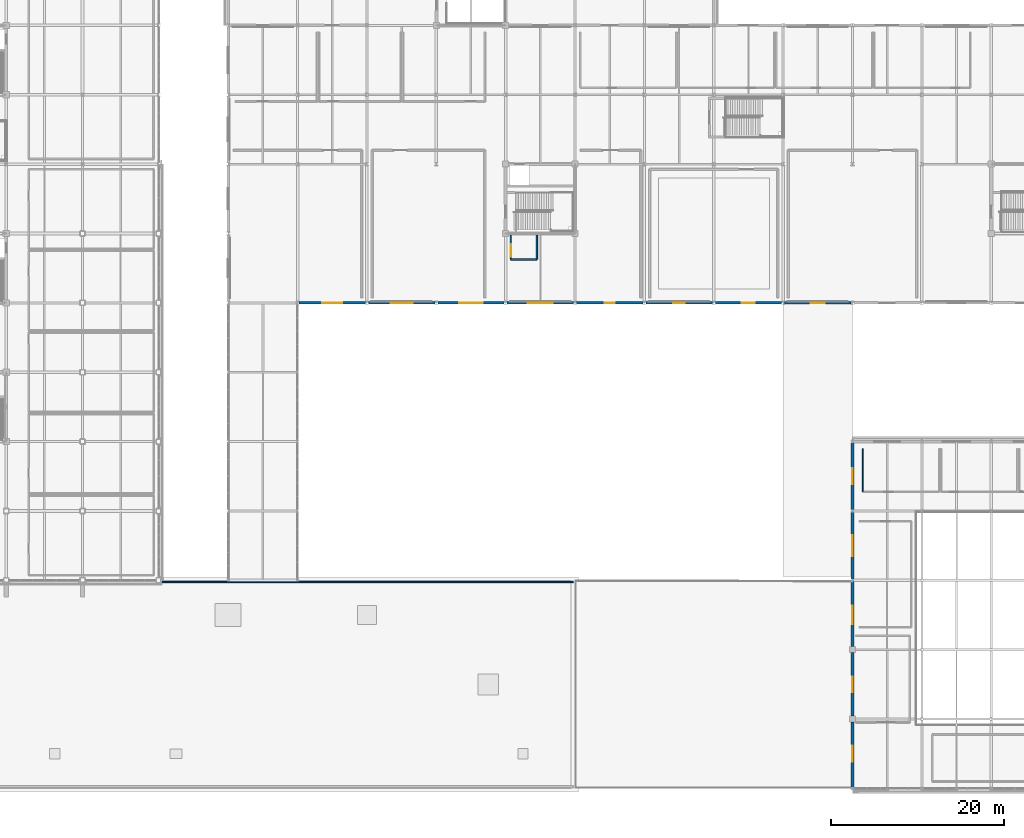
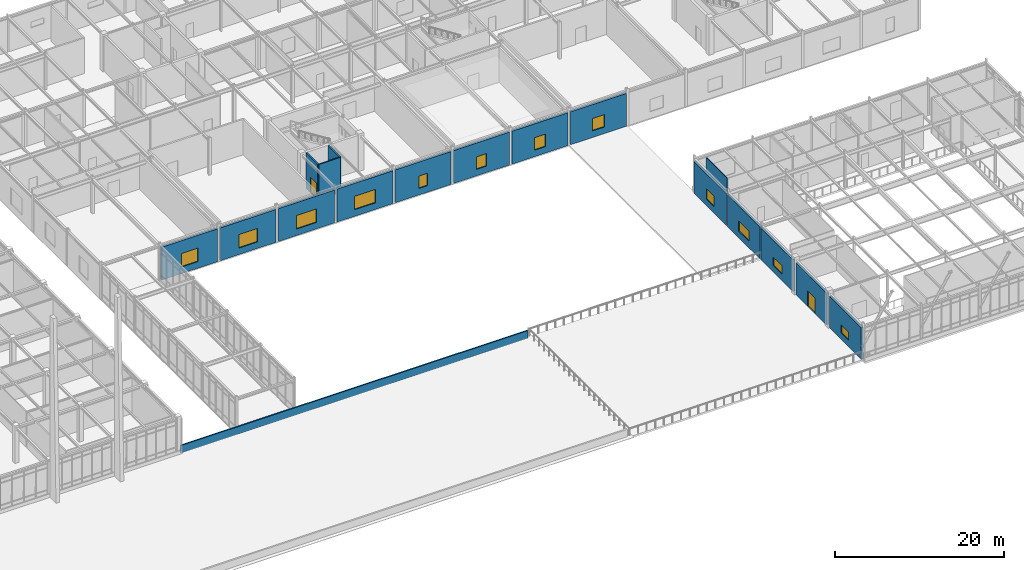
# One storey, part 89 of 108: 18 walls, 12 windows, 2 doors, 14 openings.
"""IFC4 building model written with IfcOpenShell, lengths in metres."""

from ifc_helpers import new_model, si_unit, direction, frame, frame_2d, origin, place, context, subcontext, project, spatial, rectangle, extrude, material, layer, layer_set, type_object, element, fill, save


model = new_model("IFC4")

# Units and contexts
model_context = context("Model", 3, precision=1e-05, world=origin(), true_north=direction((0.0, 1.0)))
body_context = subcontext(model_context, "Body", "Model", "MODEL_VIEW")
ifc_project = project(units=[si_unit("LENGTHUNIT", "METRE"), si_unit("AREAUNIT", "SQUARE_METRE"), si_unit("VOLUMEUNIT", "CUBIC_METRE"), si_unit("PLANEANGLEUNIT", "RADIAN"), si_unit("MASSUNIT", "GRAM", prefix="KILO")], contexts=[model_context])

# Site, building, storey
site_placement = place(None, origin())
site = spatial("IfcSite", under=ifc_project, at=site_placement, CompositionType="ELEMENT")
building_placement = place(site_placement, origin())
building = spatial("IfcBuilding", under=site, at=building_placement, Name="Zhaolan Boulevard Law Courts", CompositionType="ELEMENT")
storey_placement = place(building_placement, frame((0.0, 0.0, 10.800048828125)))
storey = spatial("IfcBuildingStorey", under=building, at=storey_placement, Name="L02", CompositionType="ELEMENT", Elevation=10.800048828125)

# Wall, opening, window
ifc_material_1 = material(Name="Concrete C40", Category="concrete")
ifc_layer_1 = layer(ifc_material_1, 0.300048828125)
ifc_layer_set_1 = layer_set([ifc_layer_1])
wall_type_1 = type_object("IfcWallType", Name="EXT WALL CONCRETE300", PredefinedType="SOLIDWALL", material=ifc_layer_set_1)
wall_1_placement = place(storey_placement, frame((124.0, 13.654052734375, 0.0), z_axis=(0.0, 0.0, 1.0), x_axis=(0.0, -1.0, 0.0)))
wall_1 = element("IfcWall", 1, at=wall_1_placement, inside=storey, type_object=wall_type_1, Name="Exterior Wall EW-L02-168", PredefinedType="SOLIDWALL", context=body_context, shape_type="SweptSolid", body=[
    extrude(rectangle(XDim=7.532958984375, YDim=0.300048828125, at=frame_2d((3.7666015625, 0.0))), origin(), (0.0, 0.0, 1.0), 4.60302734375),
])
opening_1_placement = place(wall_1_placement, frame((2.75390625, 0.0, 0.949951171875)))
opening_1 = element("IfcOpeningElement", 2, at=opening_1_placement, cuts=wall_1, Name="Opening WIN-L02-029", PredefinedType="OPENING", context=body_context, shape_type="SweptSolid", body=[
    extrude(rectangle(XDim=1.800048828125, YDim=1.199951171875, at=frame_2d((0.89990234375, 0.60009765625))), frame((0.0, 0.159912109375, 0.0), z_axis=(0.0, -1.0, 0.0), x_axis=(1.0, 0.0, 0.0)), (0.0, 0.0, 1.0), 0.320068359375),
])
ifc_material_2 = material(Name="Thermally broken aluminium and low-E glazing", Category="aluminium")
window_type_1 = type_object("IfcWindowType", Name="WINDOW 1800X1200", PartitioningType="DOUBLE_PANEL_VERTICAL", PredefinedType="WINDOW", material=ifc_material_2)
window_1_placement = place(opening_1_placement, origin())
window_1 = element("IfcWindow", 3, at=window_1_placement, inside=storey, type_object=window_type_1, Name="Exterior Window WIN-L02-029", OverallHeight=1.199951171875, OverallWidth=1.800048828125, PartitioningType="SINGLE_PANEL", PredefinedType="WINDOW", context=body_context, shape_type="SweptSolid", body=[
    extrude(rectangle(XDim=1.800048828125, YDim=1.199951171875, at=frame_2d((0.89990234375, 0.60009765625))), frame((0.0, 0.030029296875, 0.0), z_axis=(0.0, -1.0, 0.0), x_axis=(1.0, 0.0, 0.0)), (0.0, 0.0, 1.0), 0.06005859375),
])
fill(opening_1, window_1)

# Wall, opening, door
wall_2_placement = place(storey_placement, frame((124.0, 21.654052734375, 0.0), z_axis=(0.0, 0.0, 1.0), x_axis=(0.0, -1.0, 0.0)))
wall_2 = element("IfcWall", 4, at=wall_2_placement, inside=storey, type_object=wall_type_1, Name="Exterior Wall EW-L02-169", PredefinedType="SOLIDWALL", context=body_context, shape_type="SweptSolid", body=[
    extrude(rectangle(XDim=7.30810546875, YDim=0.300048828125, at=frame_2d((3.654052734375, 0.0))), origin(), (0.0, 0.0, 1.0), 4.60302734375),
])
opening_2_placement = place(wall_2_placement, frame((2.75390625, 0.0, 0.0)))
opening_2 = element("IfcOpeningElement", 5, at=opening_2_placement, cuts=wall_2, Name="Opening TD-L02-01", PredefinedType="OPENING", context=body_context, shape_type="SweptSolid", body=[
    extrude(rectangle(XDim=1.800048828125, YDim=2.199951171875, at=frame_2d((0.89990234375, 1.10009765625))), frame((0.0, 0.159912109375, 0.0), z_axis=(0.0, -1.0, 0.0), x_axis=(1.0, 0.0, 0.0)), (0.0, 0.0, 1.0), 0.320068359375),
])
ifc_material_3 = material(Name="Insulated powder-coated steel and safety glass", Category="steel")
door_type_1 = type_object("IfcDoorType", Name="TERRACE DOOR 1800X2200", OperationType="DOUBLE_DOOR_SINGLE_SWING", PredefinedType="DOOR", material=ifc_material_3)
door_1_placement = place(opening_2_placement, origin())
door_1 = element("IfcDoor", 6, at=door_1_placement, inside=storey, type_object=door_type_1, Name="Terrace Access Door TD-L02-01", OperationType="DOUBLE_DOOR_SINGLE_SWING", OverallHeight=2.199951171875, OverallWidth=1.800048828125, PredefinedType="DOOR", context=body_context, shape_type="SweptSolid", body=[
    extrude(rectangle(XDim=1.800048828125, YDim=2.199951171875, at=frame_2d((0.89990234375, 1.10009765625))), frame((0.0, 0.02490234375, 0.0), z_axis=(0.0, -1.0, 0.0), x_axis=(1.0, 0.0, 0.0)), (0.0, 0.0, 1.0), 0.050048828125),
])
fill(opening_2, door_1)

# Wall, opening, window
wall_3_placement = place(storey_placement, frame((124.0, 29.87890625, 0.0), z_axis=(0.0, 0.0, 1.0), x_axis=(0.0, -1.0, 0.0)))
wall_3 = element("IfcWall", 7, at=wall_3_placement, inside=storey, type_object=wall_type_1, Name="Exterior Wall EW-L02-170", PredefinedType="SOLIDWALL", context=body_context, shape_type="SweptSolid", body=[
    extrude(rectangle(XDim=7.532958984375, YDim=0.300048828125, at=frame_2d((3.7666015625, 0.0))), origin(), (0.0, 0.0, 1.0), 4.60302734375),
])
opening_3_placement = place(wall_3_placement, frame((2.8291015625, 0.0, 0.949951171875)))
opening_3 = element("IfcOpeningElement", 8, at=opening_3_placement, cuts=wall_3, Name="Opening WIN-L02-030", PredefinedType="OPENING", context=body_context, shape_type="SweptSolid", body=[
    extrude(rectangle(XDim=2.10009765625, YDim=1.199951171875, at=frame_2d((1.050048828125, 0.60009765625))), frame((0.0, 0.159912109375, 0.0), z_axis=(0.0, -1.0, 0.0), x_axis=(1.0, 0.0, 0.0)), (0.0, 0.0, 1.0), 0.320068359375),
])
ifc_material_4 = material(Name="Thermally broken aluminium and low-E glazing", Category="aluminium")
window_type_2 = type_object("IfcWindowType", Name="WINDOW 2100X1200", PartitioningType="DOUBLE_PANEL_VERTICAL", PredefinedType="WINDOW", material=ifc_material_4)
window_2_placement = place(opening_3_placement, origin())
window_2 = element("IfcWindow", 9, at=window_2_placement, inside=storey, type_object=window_type_2, Name="Exterior Window WIN-L02-030", OverallHeight=1.199951171875, OverallWidth=2.10009765625, PartitioningType="SINGLE_PANEL", PredefinedType="WINDOW", context=body_context, shape_type="SweptSolid", body=[
    extrude(rectangle(XDim=2.10009765625, YDim=1.199951171875, at=frame_2d((1.050048828125, 0.60009765625))), frame((0.0, 0.030029296875, 0.0), z_axis=(0.0, -1.0, 0.0), x_axis=(1.0, 0.0, 0.0)), (0.0, 0.0, 1.0), 0.06005859375),
])
fill(opening_3, window_2)

wall_4_placement = place(storey_placement, frame((124.0, 37.87890625, 0.0), z_axis=(0.0, 0.0, 1.0), x_axis=(0.0, -1.0, 0.0)))
wall_4 = element("IfcWall", 10, at=wall_4_placement, inside=storey, type_object=wall_type_1, Name="Exterior Wall EW-L02-171", PredefinedType="SOLIDWALL", context=body_context, shape_type="SweptSolid", body=[
    extrude(rectangle(XDim=7.7578125, YDim=0.300048828125, at=frame_2d((3.87890625, 0.0))), origin(), (0.0, 0.0, 1.0), 4.60302734375),
])
opening_4_placement = place(wall_4_placement, frame((2.678955078125, 0.0, 0.949951171875)))
opening_4 = element("IfcOpeningElement", 11, at=opening_4_placement, cuts=wall_4, Name="Opening WIN-L02-031", PredefinedType="OPENING", context=body_context, shape_type="SweptSolid", body=[
    extrude(rectangle(XDim=2.39990234375, YDim=1.5, at=frame_2d((1.199951171875, 0.75))), frame((0.0, 0.159912109375, 0.0), z_axis=(0.0, -1.0, 0.0), x_axis=(1.0, 0.0, 0.0)), (0.0, 0.0, 1.0), 0.320068359375),
])
ifc_material_5 = material(Name="Thermally broken aluminium and low-E glazing", Category="aluminium")
window_type_3 = type_object("IfcWindowType", Name="WINDOW 2400X1500", PartitioningType="DOUBLE_PANEL_VERTICAL", PredefinedType="WINDOW", material=ifc_material_5)
window_3_placement = place(opening_4_placement, origin())
window_3 = element("IfcWindow", 12, at=window_3_placement, inside=storey, type_object=window_type_3, Name="Exterior Window WIN-L02-031", OverallHeight=1.5, OverallWidth=2.39990234375, PartitioningType="SINGLE_PANEL", PredefinedType="WINDOW", context=body_context, shape_type="SweptSolid", body=[
    extrude(rectangle(XDim=2.39990234375, YDim=1.5, at=frame_2d((1.199951171875, 0.75))), frame((0.0, 0.030029296875, 0.0), z_axis=(0.0, -1.0, 0.0), x_axis=(1.0, 0.0, 0.0)), (0.0, 0.0, 1.0), 0.06005859375),
])
fill(opening_4, window_3)

wall_5_placement = place(storey_placement, frame((124.0, 45.87890625, 0.0), z_axis=(0.0, 0.0, 1.0), x_axis=(0.0, -1.0, 0.0)))
wall_5 = element("IfcWall", 13, at=wall_5_placement, inside=storey, type_object=wall_type_1, Name="Exterior Wall EW-L02-172", PredefinedType="SOLIDWALL", context=body_context, shape_type="SweptSolid", body=[
    extrude(rectangle(XDim=7.7578125, YDim=0.300048828125, at=frame_2d((3.87890625, 0.0))), origin(), (0.0, 0.0, 1.0), 4.60302734375),
])
opening_5_placement = place(wall_5_placement, frame((2.97900390625, 0.0, 0.949951171875)))
opening_5 = element("IfcOpeningElement", 14, at=opening_5_placement, cuts=wall_5, Name="Opening WIN-L02-032", PredefinedType="OPENING", context=body_context, shape_type="SweptSolid", body=[
    extrude(rectangle(XDim=1.800048828125, YDim=1.5, at=frame_2d((0.89990234375, 0.75))), frame((0.0, 0.159912109375, 0.0), z_axis=(0.0, -1.0, 0.0), x_axis=(1.0, 0.0, 0.0)), (0.0, 0.0, 1.0), 0.320068359375),
])
ifc_material_6 = material(Name="Thermally broken aluminium and low-E glazing", Category="aluminium")
window_type_4 = type_object("IfcWindowType", Name="WINDOW 1800X1500", PartitioningType="DOUBLE_PANEL_VERTICAL", PredefinedType="WINDOW", material=ifc_material_6)
window_4_placement = place(opening_5_placement, origin())
window_4 = element("IfcWindow", 15, at=window_4_placement, inside=storey, type_object=window_type_4, Name="Exterior Window WIN-L02-032", OverallHeight=1.5, OverallWidth=1.800048828125, PartitioningType="SINGLE_PANEL", PredefinedType="WINDOW", context=body_context, shape_type="SweptSolid", body=[
    extrude(rectangle(XDim=1.800048828125, YDim=1.5, at=frame_2d((0.89990234375, 0.75))), frame((0.0, 0.030029296875, 0.0), z_axis=(0.0, -1.0, 0.0), x_axis=(1.0, 0.0, 0.0)), (0.0, 0.0, 1.0), 0.06005859375),
])
fill(opening_5, window_4)

wall_6_placement = place(storey_placement, frame((60.1708984375, 62.0, 0.0), z_axis=(0.0, 0.0, 1.0), x_axis=(1.0, 0.0, 0.0)))
wall_6 = element("IfcWall", 16, at=wall_6_placement, inside=storey, type_object=wall_type_1, Name="Exterior Wall EW-L02-237", PredefinedType="SOLIDWALL", context=body_context, shape_type="SweptSolid", body=[
    extrude(rectangle(XDim=7.658203125, YDim=0.300048828125, at=frame_2d((3.8291015625, 0.0))), origin(), (0.0, 0.0, 1.0), 4.762939453125),
])
opening_6_placement = place(wall_6_placement, frame((2.7041015625, 0.0, 0.949951171875)))
opening_6 = element("IfcOpeningElement", 17, at=opening_6_placement, cuts=wall_6, Name="Opening WIN-L02-094", PredefinedType="OPENING", context=body_context, shape_type="SweptSolid", body=[
    extrude(rectangle(XDim=2.25, YDim=1.949951171875, at=frame_2d((1.125, 0.97509765625))), frame((0.0, 0.159912109375, 0.0), z_axis=(0.0, -1.0, 0.0), x_axis=(1.0, 0.0, 0.0)), (0.0, 0.0, 1.0), 0.320068359375),
])
ifc_material_7 = material(Name="Thermally broken aluminium and low-E glazing", Category="aluminium")
window_type_5 = type_object("IfcWindowType", Name="WINDOW 2250X1950", PartitioningType="DOUBLE_PANEL_VERTICAL", PredefinedType="WINDOW", material=ifc_material_7)
window_5_placement = place(opening_6_placement, origin())
window_5 = element("IfcWindow", 18, at=window_5_placement, inside=storey, type_object=window_type_5, Name="Exterior Window WIN-L02-094", OverallHeight=1.949951171875, OverallWidth=2.25, PartitioningType="SINGLE_PANEL", PredefinedType="WINDOW", context=body_context, shape_type="SweptSolid", body=[
    extrude(rectangle(XDim=2.25, YDim=1.949951171875, at=frame_2d((1.125, 0.97509765625))), frame((0.0, 0.030029296875, 0.0), z_axis=(0.0, -1.0, 0.0), x_axis=(1.0, 0.0, 0.0)), (0.0, 0.0, 1.0), 0.06005859375),
])
fill(opening_6, window_5)

wall_7_placement = place(storey_placement, frame((68.1708984375, 62.0, 0.0), z_axis=(0.0, 0.0, 1.0), x_axis=(1.0, 0.0, 0.0)))
wall_7 = element("IfcWall", 19, at=wall_7_placement, inside=storey, type_object=wall_type_1, Name="Exterior Wall EW-L02-238", PredefinedType="SOLIDWALL", context=body_context, shape_type="SweptSolid", body=[
    extrude(rectangle(XDim=7.658203125, YDim=0.300048828125, at=frame_2d((3.8291015625, 0.0))), origin(), (0.0, 0.0, 1.0), 4.762939453125),
])
opening_7_placement = place(wall_7_placement, frame((2.553955078125, 0.0, 0.949951171875)))
opening_7 = element("IfcOpeningElement", 20, at=opening_7_placement, cuts=wall_7, Name="Opening WIN-L02-095", PredefinedType="OPENING", context=body_context, shape_type="SweptSolid", body=[
    extrude(rectangle(XDim=2.550048828125, YDim=1.949951171875, at=frame_2d((1.27490234375, 0.97509765625))), frame((0.0, 0.159912109375, 0.0), z_axis=(0.0, -1.0, 0.0), x_axis=(1.0, 0.0, 0.0)), (0.0, 0.0, 1.0), 0.320068359375),
])
ifc_material_8 = material(Name="Thermally broken aluminium and low-E glazing", Category="aluminium")
window_type_6 = type_object("IfcWindowType", Name="WINDOW 2550X1950", PartitioningType="DOUBLE_PANEL_VERTICAL", PredefinedType="WINDOW", material=ifc_material_8)
window_6_placement = place(opening_7_placement, origin())
window_6 = element("IfcWindow", 21, at=window_6_placement, inside=storey, type_object=window_type_6, Name="Exterior Window WIN-L02-095", OverallHeight=1.949951171875, OverallWidth=2.550048828125, PartitioningType="SINGLE_PANEL", PredefinedType="WINDOW", context=body_context, shape_type="SweptSolid", body=[
    extrude(rectangle(XDim=2.550048828125, YDim=1.949951171875, at=frame_2d((1.27490234375, 0.97509765625))), frame((0.0, 0.030029296875, 0.0), z_axis=(0.0, -1.0, 0.0), x_axis=(1.0, 0.0, 0.0)), (0.0, 0.0, 1.0), 0.06005859375),
])
fill(opening_7, window_6)

wall_8_placement = place(storey_placement, frame((76.1708984375, 62.0, 0.0), z_axis=(0.0, 0.0, 1.0), x_axis=(1.0, 0.0, 0.0)))
wall_8 = element("IfcWall", 22, at=wall_8_placement, inside=storey, type_object=wall_type_1, Name="Exterior Wall EW-L02-239", PredefinedType="SOLIDWALL", context=body_context, shape_type="SweptSolid", body=[
    extrude(rectangle(XDim=7.658203125, YDim=0.300048828125, at=frame_2d((3.8291015625, 0.0))), origin(), (0.0, 0.0, 1.0), 4.762939453125),
])
opening_8_placement = place(wall_8_placement, frame((2.4541015625, 0.0, 0.949951171875)))
opening_8 = element("IfcOpeningElement", 23, at=opening_8_placement, cuts=wall_8, Name="Opening WIN-L02-096", PredefinedType="OPENING", context=body_context, shape_type="SweptSolid", body=[
    extrude(rectangle(XDim=2.75, YDim=1.949951171875, at=frame_2d((1.375, 0.97509765625))), frame((0.0, 0.159912109375, 0.0), z_axis=(0.0, -1.0, 0.0), x_axis=(1.0, 0.0, 0.0)), (0.0, 0.0, 1.0), 0.320068359375),
])
ifc_material_9 = material(Name="Thermally broken aluminium and low-E glazing", Category="aluminium")
window_type_7 = type_object("IfcWindowType", Name="WINDOW 2750X1950", PartitioningType="DOUBLE_PANEL_VERTICAL", PredefinedType="WINDOW", material=ifc_material_9)
window_7_placement = place(opening_8_placement, origin())
window_7 = element("IfcWindow", 24, at=window_7_placement, inside=storey, type_object=window_type_7, Name="Exterior Window WIN-L02-096", OverallHeight=1.949951171875, OverallWidth=2.75, PartitioningType="SINGLE_PANEL", PredefinedType="WINDOW", context=body_context, shape_type="SweptSolid", body=[
    extrude(rectangle(XDim=2.75, YDim=1.949951171875, at=frame_2d((1.375, 0.97509765625))), frame((0.0, 0.030029296875, 0.0), z_axis=(0.0, -1.0, 0.0), x_axis=(1.0, 0.0, 0.0)), (0.0, 0.0, 1.0), 0.06005859375),
])
fill(opening_8, window_7)

wall_9_placement = place(storey_placement, frame((84.1708984375, 62.0, 0.0), z_axis=(0.0, 0.0, 1.0), x_axis=(1.0, 0.0, 0.0)))
wall_9 = element("IfcWall", 25, at=wall_9_placement, inside=storey, type_object=wall_type_1, Name="Exterior Wall EW-L02-240", PredefinedType="SOLIDWALL", context=body_context, shape_type="SweptSolid", body=[
    extrude(rectangle(XDim=7.658203125, YDim=0.300048828125, at=frame_2d((3.8291015625, 0.0))), origin(), (0.0, 0.0, 1.0), 4.762939453125),
])
opening_9_placement = place(wall_9_placement, frame((2.37890625, 0.0, 0.949951171875)))
opening_9 = element("IfcOpeningElement", 26, at=opening_9_placement, cuts=wall_9, Name="Opening WIN-L02-097", PredefinedType="OPENING", context=body_context, shape_type="SweptSolid", body=[
    extrude(rectangle(XDim=2.89990234375, YDim=1.949951171875, at=frame_2d((1.449951171875, 0.97509765625))), frame((0.0, 0.159912109375, 0.0), z_axis=(0.0, -1.0, 0.0), x_axis=(1.0, 0.0, 0.0)), (0.0, 0.0, 1.0), 0.320068359375),
])
ifc_material_10 = material(Name="Thermally broken aluminium and low-E glazing", Category="aluminium")
window_type_8 = type_object("IfcWindowType", Name="WINDOW 2900X1950", PartitioningType="DOUBLE_PANEL_VERTICAL", PredefinedType="WINDOW", material=ifc_material_10)
window_8_placement = place(opening_9_placement, origin())
window_8 = element("IfcWindow", 27, at=window_8_placement, inside=storey, type_object=window_type_8, Name="Exterior Window WIN-L02-097", OverallHeight=1.949951171875, OverallWidth=2.89990234375, PartitioningType="SINGLE_PANEL", PredefinedType="WINDOW", context=body_context, shape_type="SweptSolid", body=[
    extrude(rectangle(XDim=2.89990234375, YDim=1.949951171875, at=frame_2d((1.449951171875, 0.97509765625))), frame((0.0, 0.030029296875, 0.0), z_axis=(0.0, -1.0, 0.0), x_axis=(1.0, 0.0, 0.0)), (0.0, 0.0, 1.0), 0.06005859375),
])
fill(opening_9, window_8)

wall_10_placement = place(storey_placement, frame((92.1708984375, 62.0, 0.0), z_axis=(0.0, 0.0, 1.0), x_axis=(1.0, 0.0, 0.0)))
wall_10 = element("IfcWall", 28, at=wall_10_placement, inside=storey, type_object=wall_type_1, Name="Exterior Wall EW-L02-241", PredefinedType="SOLIDWALL", context=body_context, shape_type="SweptSolid", body=[
    extrude(rectangle(XDim=7.658203125, YDim=0.300048828125, at=frame_2d((3.8291015625, 0.0))), origin(), (0.0, 0.0, 1.0), 4.762939453125),
])
opening_10_placement = place(wall_10_placement, frame((3.22900390625, 0.0, 0.949951171875)))
opening_10 = element("IfcOpeningElement", 29, at=opening_10_placement, cuts=wall_10, Name="Opening WIN-L02-098", PredefinedType="OPENING", context=body_context, shape_type="SweptSolid", body=[
    extrude(rectangle(XDim=1.199951171875, YDim=1.800048828125, at=frame_2d((0.60009765625, 0.89990234375))), frame((0.0, 0.159912109375, 0.0), z_axis=(0.0, -1.0, 0.0), x_axis=(1.0, 0.0, 0.0)), (0.0, 0.0, 1.0), 0.320068359375),
])
ifc_material_11 = material(Name="Thermally broken aluminium and low-E glazing", Category="aluminium")
window_type_9 = type_object("IfcWindowType", Name="WINDOW 1200X1800", PartitioningType="SINGLE_PANEL", PredefinedType="WINDOW", material=ifc_material_11)
window_9_placement = place(opening_10_placement, origin())
window_9 = element("IfcWindow", 30, at=window_9_placement, inside=storey, type_object=window_type_9, Name="Exterior Window WIN-L02-098", OverallHeight=1.800048828125, OverallWidth=1.199951171875, PartitioningType="SINGLE_PANEL", PredefinedType="WINDOW", context=body_context, shape_type="SweptSolid", body=[
    extrude(rectangle(XDim=1.199951171875, YDim=1.800048828125, at=frame_2d((0.60009765625, 0.89990234375))), frame((0.0, 0.030029296875, 0.0), z_axis=(0.0, -1.0, 0.0), x_axis=(1.0, 0.0, 0.0)), (0.0, 0.0, 1.0), 0.06005859375),
])
fill(opening_10, window_9)

wall_11_placement = place(storey_placement, frame((100.1708984375, 62.0, 0.0), z_axis=(0.0, 0.0, 1.0), x_axis=(1.0, 0.0, 0.0)))
wall_11 = element("IfcWall", 31, at=wall_11_placement, inside=storey, type_object=wall_type_1, Name="Exterior Wall EW-L02-242", PredefinedType="SOLIDWALL", context=body_context, shape_type="SweptSolid", body=[
    extrude(rectangle(XDim=7.658203125, YDim=0.300048828125, at=frame_2d((3.8291015625, 0.0))), origin(), (0.0, 0.0, 1.0), 4.762939453125),
])
opening_11_placement = place(wall_11_placement, frame((3.154052734375, 0.0, 0.949951171875)))
opening_11 = element("IfcOpeningElement", 32, at=opening_11_placement, cuts=wall_11, Name="Opening WIN-L02-099", PredefinedType="OPENING", context=body_context, shape_type="SweptSolid", body=[
    extrude(rectangle(XDim=1.35009765625, YDim=1.800048828125, at=frame_2d((0.675048828125, 0.89990234375))), frame((0.0, 0.159912109375, 0.0), z_axis=(0.0, -1.0, 0.0), x_axis=(1.0, 0.0, 0.0)), (0.0, 0.0, 1.0), 0.320068359375),
])
ifc_material_12 = material(Name="Thermally broken aluminium and low-E glazing", Category="aluminium")
window_type_10 = type_object("IfcWindowType", Name="WINDOW 1350X1800", PartitioningType="SINGLE_PANEL", PredefinedType="WINDOW", material=ifc_material_12)
window_10_placement = place(opening_11_placement, origin())
window_10 = element("IfcWindow", 33, at=window_10_placement, inside=storey, type_object=window_type_10, Name="Exterior Window WIN-L02-099", OverallHeight=1.800048828125, OverallWidth=1.35009765625, PartitioningType="SINGLE_PANEL", PredefinedType="WINDOW", context=body_context, shape_type="SweptSolid", body=[
    extrude(rectangle(XDim=1.35009765625, YDim=1.800048828125, at=frame_2d((0.675048828125, 0.89990234375))), frame((0.0, 0.030029296875, 0.0), z_axis=(0.0, -1.0, 0.0), x_axis=(1.0, 0.0, 0.0)), (0.0, 0.0, 1.0), 0.06005859375),
])
fill(opening_11, window_10)

wall_12_placement = place(storey_placement, frame((108.1708984375, 62.0, 0.0), z_axis=(0.0, 0.0, 1.0), x_axis=(1.0, 0.0, 0.0)))
wall_12 = element("IfcWall", 34, at=wall_12_placement, inside=storey, type_object=wall_type_1, Name="Exterior Wall EW-L02-243", PredefinedType="SOLIDWALL", context=body_context, shape_type="SweptSolid", body=[
    extrude(rectangle(XDim=7.658203125, YDim=0.300048828125, at=frame_2d((3.8291015625, 0.0))), origin(), (0.0, 0.0, 1.0), 4.762939453125),
])
opening_12_placement = place(wall_12_placement, frame((3.0791015625, 0.0, 0.949951171875)))
opening_12 = element("IfcOpeningElement", 35, at=opening_12_placement, cuts=wall_12, Name="Opening WIN-L02-100", PredefinedType="OPENING", context=body_context, shape_type="SweptSolid", body=[
    extrude(rectangle(XDim=1.5, YDim=1.800048828125, at=frame_2d((0.75, 0.89990234375))), frame((0.0, 0.159912109375, 0.0), z_axis=(0.0, -1.0, 0.0), x_axis=(1.0, 0.0, 0.0)), (0.0, 0.0, 1.0), 0.320068359375),
])
ifc_material_13 = material(Name="Thermally broken aluminium and low-E glazing", Category="aluminium")
window_type_11 = type_object("IfcWindowType", Name="WINDOW 1500X1800", PartitioningType="SINGLE_PANEL", PredefinedType="WINDOW", material=ifc_material_13)
window_11_placement = place(opening_12_placement, origin())
window_11 = element("IfcWindow", 36, at=window_11_placement, inside=storey, type_object=window_type_11, Name="Exterior Window WIN-L02-100", OverallHeight=1.800048828125, OverallWidth=1.5, PartitioningType="SINGLE_PANEL", PredefinedType="WINDOW", context=body_context, shape_type="SweptSolid", body=[
    extrude(rectangle(XDim=1.5, YDim=1.800048828125, at=frame_2d((0.75, 0.89990234375))), frame((0.0, 0.030029296875, 0.0), z_axis=(0.0, -1.0, 0.0), x_axis=(1.0, 0.0, 0.0)), (0.0, 0.0, 1.0), 0.06005859375),
])
fill(opening_12, window_11)

wall_13_placement = place(storey_placement, frame((116.1708984375, 62.0, 0.0), z_axis=(0.0, 0.0, 1.0), x_axis=(1.0, 0.0, 0.0)))
wall_13 = element("IfcWall", 37, at=wall_13_placement, inside=storey, type_object=wall_type_1, Name="Exterior Wall EW-L02-244", PredefinedType="SOLIDWALL", context=body_context, shape_type="SweptSolid", body=[
    extrude(rectangle(XDim=7.658203125, YDim=0.300048828125, at=frame_2d((3.8291015625, 0.0))), origin(), (0.0, 0.0, 1.0), 4.762939453125),
])
opening_13_placement = place(wall_13_placement, frame((3.00390625, 0.0, 0.949951171875)))
opening_13 = element("IfcOpeningElement", 38, at=opening_13_placement, cuts=wall_13, Name="Opening WIN-L02-101", PredefinedType="OPENING", context=body_context, shape_type="SweptSolid", body=[
    extrude(rectangle(XDim=1.64990234375, YDim=1.800048828125, at=frame_2d((0.824951171875, 0.89990234375))), frame((0.0, 0.159912109375, 0.0), z_axis=(0.0, -1.0, 0.0), x_axis=(1.0, 0.0, 0.0)), (0.0, 0.0, 1.0), 0.320068359375),
])
ifc_material_14 = material(Name="Thermally broken aluminium and low-E glazing", Category="aluminium")
window_type_12 = type_object("IfcWindowType", Name="WINDOW 1650X1800", PartitioningType="SINGLE_PANEL", PredefinedType="WINDOW", material=ifc_material_14)
window_12_placement = place(opening_13_placement, origin())
window_12 = element("IfcWindow", 39, at=window_12_placement, inside=storey, type_object=window_type_12, Name="Exterior Window WIN-L02-101", OverallHeight=1.800048828125, OverallWidth=1.64990234375, PartitioningType="SINGLE_PANEL", PredefinedType="WINDOW", context=body_context, shape_type="SweptSolid", body=[
    extrude(rectangle(XDim=1.64990234375, YDim=1.800048828125, at=frame_2d((0.824951171875, 0.89990234375))), frame((0.0, 0.030029296875, 0.0), z_axis=(0.0, -1.0, 0.0), x_axis=(1.0, 0.0, 0.0)), (0.0, 0.0, 1.0), 0.06005859375),
])
fill(opening_13, window_12)

# Walls
ifc_material_15 = material(Name="Concrete C40", Category="concrete")
ifc_layer_2 = layer(ifc_material_15, 0.179931640625)
ifc_layer_set_2 = layer_set([ifc_layer_2])
wall_type_2 = type_object("IfcWallType", Name="PARAPET CONCRETE180", PredefinedType="PARAPET", material=ifc_layer_set_2)
wall_14_placement = place(storey_placement, frame((44.199951171875, 29.800048828125, 0.0), z_axis=(0.0, 0.0, 1.0), x_axis=(1.0, 0.0, 0.0)))
element("IfcWall", 40, at=wall_14_placement, inside=storey, type_object=wall_type_2, Name="Roof Parapet PAR-V4-N", PredefinedType="PARAPET", context=body_context, shape_type="SweptSolid", body=[
    extrude(rectangle(XDim=47.60009765625, YDim=0.179931640625, at=frame_2d((23.800048828125, 0.0))), origin(), (0.0, 0.0, 1.0), 1.099853515625),
])
ifc_material_16 = material(Name="Acoustic gypsum and mineral-wool stud")
ifc_layer_3 = layer(ifc_material_16, 0.18994140625)
ifc_layer_set_3 = layer_set([ifc_layer_3])
wall_type_3 = type_object("IfcWallType", Name="PART WALL ACOUST190", PredefinedType="PARTITIONING", material=ifc_layer_set_3)
wall_15_placement = place(storey_placement, frame((84.60009765625, 67.0, 0.0), z_axis=(0.0, 0.0, 1.0), x_axis=(1.0, 0.0, 0.0)))
element("IfcWall", 41, at=wall_15_placement, inside=storey, type_object=wall_type_3, Name="Interior Partition PW-L02-085", PredefinedType="PARTITIONING", context=body_context, shape_type="SweptSolid", body=[
    extrude(rectangle(XDim=3.0, YDim=0.18994140625, at=frame_2d((1.5, 0.0))), origin(), (0.0, 0.0, 1.0), 5.119873046875),
])

# Wall, opening, door
wall_16_placement = place(storey_placement, frame((84.60009765625, 69.800048828125, 0.0), z_axis=(0.0, 0.0, 1.0), x_axis=(0.0, -1.0, 0.0)))
wall_16 = element("IfcWall", 42, at=wall_16_placement, inside=storey, type_object=wall_type_3, Name="Interior Partition PW-L02-086", PredefinedType="PARTITIONING", context=body_context, shape_type="SweptSolid", body=[
    extrude(rectangle(XDim=2.800048828125, YDim=0.18994140625, at=frame_2d((1.39990234375, 0.0))), origin(), (0.0, 0.0, 1.0), 5.119873046875),
])
opening_14_placement = place(wall_16_placement, frame((1.050048828125, 0.0, 0.0)))
opening_14 = element("IfcOpeningElement", 43, at=opening_14_placement, cuts=wall_16, Name="Opening FD-L02-029", PredefinedType="OPENING", context=body_context, shape_type="SweptSolid", body=[
    extrude(rectangle(XDim=1.449951171875, YDim=2.199951171875, at=frame_2d((0.72509765625, 1.10009765625))), frame((0.0, 0.10498046875, 0.0), z_axis=(0.0, -1.0, 0.0), x_axis=(1.0, 0.0, 0.0)), (0.0, 0.0, 1.0), 0.2099609375),
])
ifc_material_17 = material(Name="Fire-rated steel acoustic door", Category="steel")
door_type_2 = type_object("IfcDoorType", Name="LOBBY FIRE 1450X2200 L", OperationType="SINGLE_SWING_LEFT", PredefinedType="DOOR", material=ifc_material_17)
door_2_placement = place(opening_14_placement, origin())
door_2 = element("IfcDoor", 44, at=door_2_placement, inside=storey, type_object=door_type_2, Name="Door FD-L02-029 (Lobby Firefighting Lift L02-T1)", OperationType="SINGLE_SWING_LEFT", OverallHeight=2.199951171875, OverallWidth=1.449951171875, PredefinedType="DOOR", context=body_context, shape_type="SweptSolid", body=[
    extrude(rectangle(XDim=1.449951171875, YDim=2.199951171875, at=frame_2d((0.72509765625, 1.10009765625))), frame((0.0, 0.02490234375, 0.0), z_axis=(0.0, -1.0, 0.0), x_axis=(1.0, 0.0, 0.0)), (0.0, 0.0, 1.0), 0.050048828125),
])
fill(opening_14, door_2)

# Walls
wall_17_placement = place(storey_placement, frame((87.60009765625, 67.0, 0.0), z_axis=(0.0, 0.0, 1.0), x_axis=(0.0, 1.0, 0.0)))
element("IfcWall", 45, at=wall_17_placement, inside=storey, type_object=wall_type_3, Name="Interior Partition PW-L02-087", PredefinedType="PARTITIONING", context=body_context, shape_type="SweptSolid", body=[
    extrude(rectangle(XDim=2.800048828125, YDim=0.18994140625, at=frame_2d((1.39990234375, 0.0))), origin(), (0.0, 0.0, 1.0), 5.119873046875),
])
ifc_material_18 = material(Name="Gypsum board stud partition")
ifc_layer_4 = layer(ifc_material_18, 0.1201171875)
ifc_layer_set_4 = layer_set([ifc_layer_4])
wall_type_4 = type_object("IfcWallType", Name="PART WALL LIGHT120", PredefinedType="PARTITIONING", material=ifc_layer_set_4)
wall_18_placement = place(storey_placement, frame((125.199951171875, 45.199951171875, 0.0), z_axis=(0.0, 0.0, 1.0), x_axis=(0.0, -1.0, 0.0)))
element("IfcWall", 46, at=wall_18_placement, inside=storey, type_object=wall_type_4, Name="Interior Partition PW-L02-441", PredefinedType="PARTITIONING", context=body_context, shape_type="SweptSolid", body=[
    extrude(rectangle(XDim=5.0, YDim=0.1201171875, at=frame_2d((2.5, 0.0))), origin(), (0.0, 0.0, 1.0), 5.119873046875),
])

save(model, "model.ifc")
